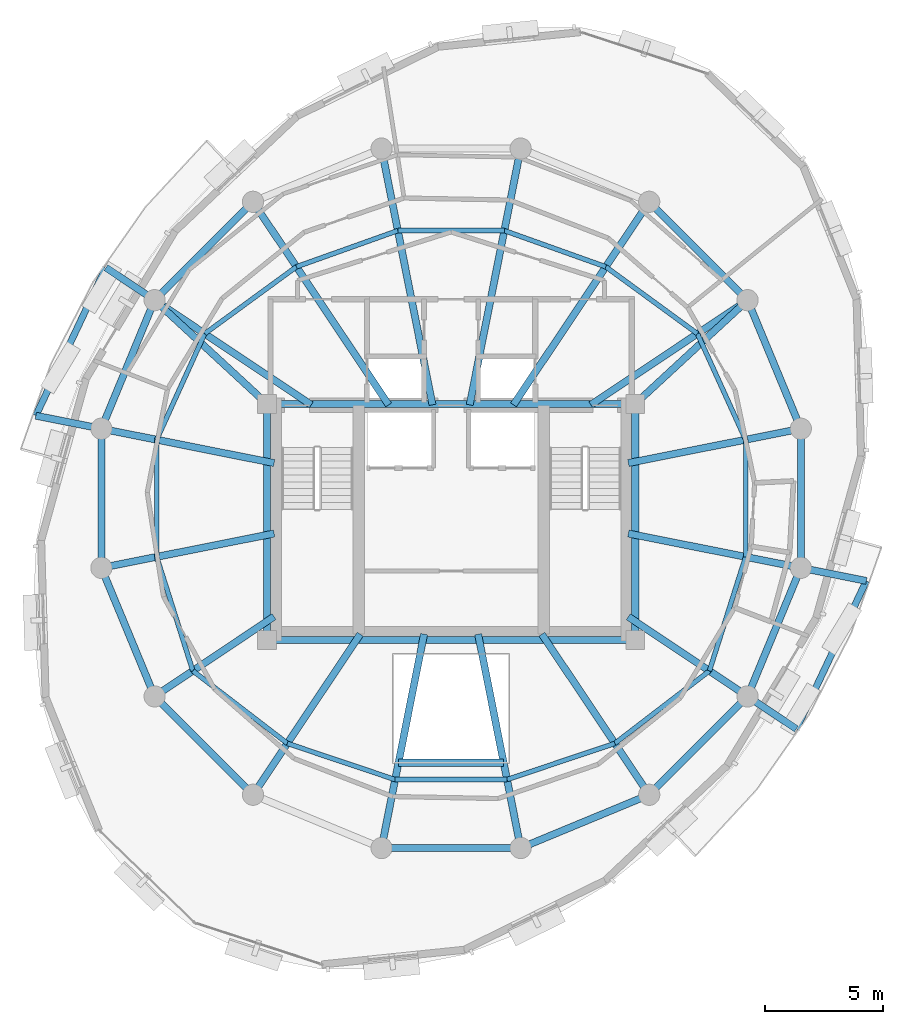
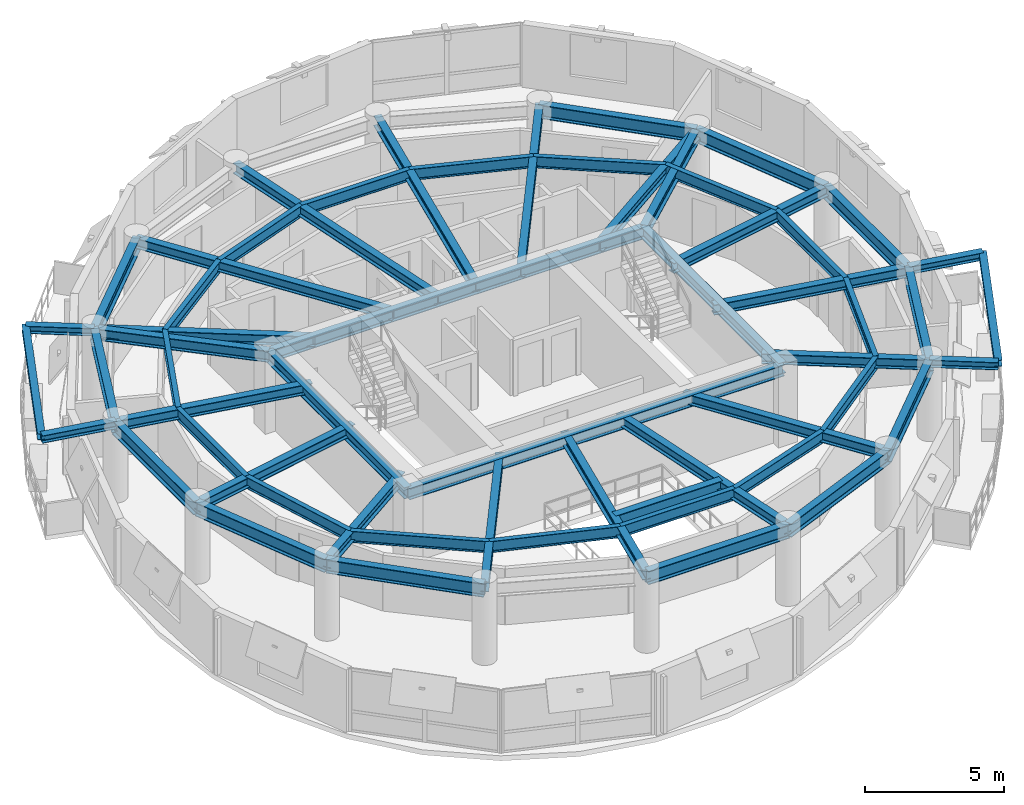
# One storey, part 3 of 11: 57 beams.
"""IFC4 building model written with IfcOpenShell, lengths in metres."""

from ifc_helpers import new_model, si_unit, direction, frame, origin, origin_2d, place, context, subcontext, project, spatial, i_section, extrude, material, material_profile, profile_set, type_object, element, save


model = new_model("IFC4")

# Units and contexts
model_context = context("Model", 3, precision=1e-05, world=origin(), true_north=direction((0.0, 1.0)))
body_context = subcontext(model_context, "Body", "Model", "MODEL_VIEW")
ifc_project = project(units=[si_unit("LENGTHUNIT", "METRE"), si_unit("AREAUNIT", "SQUARE_METRE"), si_unit("VOLUMEUNIT", "CUBIC_METRE"), si_unit("PLANEANGLEUNIT", "RADIAN"), si_unit("MASSUNIT", "GRAM", prefix="KILO"), si_unit("THERMODYNAMICTEMPERATUREUNIT", "KELVIN"), si_unit("POWERUNIT", "WATT")], contexts=[model_context])

# Site, building, storey
site_placement = place(None, origin())
site = spatial("IfcSite", under=ifc_project, at=site_placement, CompositionType="ELEMENT")
building_placement = place(site_placement, origin())
building = spatial("IfcBuilding", under=site, at=building_placement, Name="Ocrelia Relay Tower", CompositionType="ELEMENT")
storey_placement = place(building_placement, frame((0.0, 0.0, 273.60009765625)))
storey = spatial("IfcBuildingStorey", under=building, at=storey_placement, Name="L68", CompositionType="ELEMENT", Elevation=273.60009765625)

# Beams
ifc_material = material(Name="Steel S355", Category="steel")
ifc_material_profile_1 = material_profile(ifc_material, i_section(OverallWidth=0.280029296875, OverallDepth=0.27001953125, WebThickness=0.008056640625, FlangeThickness=0.012939453125, FilletRadius=0.02392578125, at=origin_2d()), Name="HEA 280")
ifc_profile_set_1 = profile_set([ifc_material_profile_1], Name="Steel S355")
beam_type_1 = type_object("IfcBeamType", Name="BM-HEA280", PredefinedType="BEAM", material=ifc_profile_set_1)
for number, where, z_axis, x_axis, name in (
    (1, (19.3798828125, 35.768798828125, 3.244873046875), (-0.427423552294, -0.904051495737, 0.0), (0.904051495737, -0.427423552294, 0.0), "L69 Balcony Edge Trimmer Beam B1"),
    (2, (48.6201171875, 16.231201171875, 3.244873046875), (0.427423552294, 0.904051495737, 0.0), (-0.904051495737, 0.427423552294, 0.0), "L69 Balcony Edge Trimmer Beam B2"),
):
    element("IfcBeam", number, at=place(storey_placement, frame(where, z_axis=z_axis, x_axis=x_axis)), inside=storey, type_object=beam_type_1, Name=name, PredefinedType="BEAM", context=body_context, shape_type="SweptSolid", body=[
        extrude(i_section(OverallWidth=0.280029296875, OverallDepth=0.27001953125, WebThickness=0.008056640625, FlangeThickness=0.012939453125, FilletRadius=0.02392578125, at=origin_2d()), origin(), (0.0, 0.0, 1.0), 6.9365234375),
    ])
ifc_material_profile_2 = material_profile(ifc_material, i_section(OverallWidth=0.300048828125, OverallDepth=0.330078125, WebThickness=0.009521484375, FlangeThickness=0.0166015625, FilletRadius=0.027099609375, at=origin_2d()), Name="HEA 340")
ifc_profile_set_2 = profile_set([ifc_material_profile_2], Name="Steel S355")
beam_type_2 = type_object("IfcBeamType", Name="BM-HEA340", PredefinedType="BEAM", material=ifc_profile_set_2)
beam_1_placement = place(storey_placement, frame((21.44482421875, 34.38916015625, 3.21484375), z_axis=(-0.831490270733, 0.555539314249, 0.0), x_axis=(-0.555539314249, -0.831490270733, 0.0)))
element("IfcBeam", 3, at=beam_1_placement, inside=storey, type_object=beam_type_2, Name="L69 Balcony Cantilever Beam B1-1", PredefinedType="BEAM", context=body_context, shape_type="SweptSolid", body=[
    extrude(i_section(OverallWidth=0.300048828125, OverallDepth=0.330078125, WebThickness=0.009521484375, FlangeThickness=0.0166015625, FilletRadius=0.027099609375, at=origin_2d()), origin(), (0.0, 0.0, 1.0), 2.4833984375),
])
beam_2_placement = place(storey_placement, frame((19.190185546875, 28.94580078125, 3.21484375), z_axis=(-0.980785889275, 0.195087260988, 0.0), x_axis=(-0.195087260988, -0.980785889275, 0.0)))
element("IfcBeam", 4, at=beam_2_placement, inside=storey, type_object=beam_type_2, Name="L69 Balcony Cantilever Beam B1-2", PredefinedType="BEAM", context=body_context, shape_type="SweptSolid", body=[
    extrude(i_section(OverallWidth=0.300048828125, OverallDepth=0.330078125, WebThickness=0.009521484375, FlangeThickness=0.0166015625, FilletRadius=0.027099609375, at=origin_2d()), origin(), (0.0, 0.0, 1.0), 2.82958984375),
])
beam_3_placement = place(storey_placement, frame((46.55517578125, 17.61083984375, 3.21484375), z_axis=(0.831490270733, -0.555539314249, 0.0), x_axis=(0.555539314249, 0.831490270733, 0.0)))
element("IfcBeam", 5, at=beam_3_placement, inside=storey, type_object=beam_type_2, Name="L69 Balcony Cantilever Beam B2-1", PredefinedType="BEAM", context=body_context, shape_type="SweptSolid", body=[
    extrude(i_section(OverallWidth=0.300048828125, OverallDepth=0.330078125, WebThickness=0.009521484375, FlangeThickness=0.0166015625, FilletRadius=0.027099609375, at=origin_2d()), origin(), (0.0, 0.0, 1.0), 2.4833984375),
])
beam_4_placement = place(storey_placement, frame((48.809814453125, 23.05419921875, 3.21484375), z_axis=(0.980785889275, -0.195087260988, 0.0), x_axis=(0.195087260988, 0.980785889275, 0.0)))
element("IfcBeam", 6, at=beam_4_placement, inside=storey, type_object=beam_type_2, Name="L69 Balcony Cantilever Beam B2-2", PredefinedType="BEAM", context=body_context, shape_type="SweptSolid", body=[
    extrude(i_section(OverallWidth=0.300048828125, OverallDepth=0.330078125, WebThickness=0.009521484375, FlangeThickness=0.0166015625, FilletRadius=0.027099609375, at=origin_2d()), origin(), (0.0, 0.0, 1.0), 2.82958984375),
])
ifc_material_profile_3 = material_profile(ifc_material, i_section(OverallWidth=0.300048828125, OverallDepth=0.449951171875, WebThickness=0.013916015625, FlangeThickness=0.02587890625, FilletRadius=0.027099609375, at=origin_2d()), Name="HEB 450")
ifc_profile_set_3 = profile_set([ifc_material_profile_3], Name="Steel S355")
beam_type_3 = type_object("IfcBeamType", Name="BM-HEB450", PredefinedType="BEAM", material=ifc_profile_set_3)
beam_5_placement = place(storey_placement, frame((48.809814453125, 28.94580078125, 3.15478515625), z_axis=(-0.980789400571, -0.195069607393, 0.0), x_axis=(0.195069607393, -0.980789400571, 0.0)))
element("IfcBeam", 7, at=beam_5_placement, inside=storey, type_object=beam_type_3, Name="L68 Radial Floor Girder R01", PredefinedType="BEAM", context=body_context, shape_type="SweptSolid", body=[
    extrude(i_section(OverallWidth=0.300048828125, OverallDepth=0.449951171875, WebThickness=0.013916015625, FlangeThickness=0.02587890625, FilletRadius=0.027099609375, at=origin_2d()), origin(), (0.0, 0.0, 1.0), 7.447998046875),
])
beam_6_placement = place(storey_placement, frame((46.55517578125, 34.38916015625, 3.15478515625), z_axis=(-0.83146627118, -0.555575233331, 0.0), x_axis=(0.555575233331, -0.83146627118, 0.0)))
element("IfcBeam", 8, at=beam_6_placement, inside=storey, type_object=beam_type_3, Name="L68 Radial Floor Girder R02", PredefinedType="BEAM", context=body_context, shape_type="SweptSolid", body=[
    extrude(i_section(OverallWidth=0.300048828125, OverallDepth=0.449951171875, WebThickness=0.013916015625, FlangeThickness=0.02587890625, FilletRadius=0.027099609375, at=origin_2d()), origin(), (0.0, 0.0, 1.0), 7.98095703125),
])
beam_7_placement = place(storey_placement, frame((42.38916015625, 38.55517578125, 3.15478515625), z_axis=(-0.555582296999, -0.831461551283, 0.0), x_axis=(0.831461551283, -0.555582296999, 0.0)))
element("IfcBeam", 9, at=beam_7_placement, inside=storey, type_object=beam_type_3, Name="L68 Radial Floor Girder R03", PredefinedType="BEAM", context=body_context, shape_type="SweptSolid", body=[
    extrude(i_section(OverallWidth=0.300048828125, OverallDepth=0.449951171875, WebThickness=0.013916015625, FlangeThickness=0.02587890625, FilletRadius=0.027099609375, at=origin_2d()), origin(), (0.0, 0.0, 1.0), 10.34326171875),
])
for number, where, z_axis, x_axis, name in (
    (10, (36.94580078125, 40.809814453125, 3.15478515625), (-0.195093658495, -0.98078461673, 0.0), (0.98078461673, -0.195093658495, 0.0), "L68 Radial Floor Girder R04"),
    (11, (31.05419921875, 40.809814453125, 3.15478515625), (0.195093658495, -0.98078461673, 0.0), (0.98078461673, 0.195093658495, 0.0), "L68 Radial Floor Girder R05"),
):
    element("IfcBeam", number, at=place(storey_placement, frame(where, z_axis=z_axis, x_axis=x_axis)), inside=storey, type_object=beam_type_3, Name=name, PredefinedType="BEAM", context=body_context, shape_type="SweptSolid", body=[
        extrude(i_section(OverallWidth=0.300048828125, OverallDepth=0.449951171875, WebThickness=0.013916015625, FlangeThickness=0.02587890625, FilletRadius=0.027099609375, at=origin_2d()), origin(), (0.0, 0.0, 1.0), 11.0673828125),
    ])
beam_8_placement = place(storey_placement, frame((25.61083984375, 38.55517578125, 3.15478515625), z_axis=(0.555582296999, -0.831461551283, 0.0), x_axis=(0.831461551283, 0.555582296999, 0.0)))
element("IfcBeam", 12, at=beam_8_placement, inside=storey, type_object=beam_type_3, Name="L68 Radial Floor Girder R06", PredefinedType="BEAM", context=body_context, shape_type="SweptSolid", body=[
    extrude(i_section(OverallWidth=0.300048828125, OverallDepth=0.449951171875, WebThickness=0.013916015625, FlangeThickness=0.02587890625, FilletRadius=0.027099609375, at=origin_2d()), origin(), (0.0, 0.0, 1.0), 10.34326171875),
])
beam_9_placement = place(storey_placement, frame((21.44482421875, 34.38916015625, 3.15478515625), z_axis=(0.83146627118, -0.555575233331, 0.0), x_axis=(0.555575233331, 0.83146627118, 0.0)))
element("IfcBeam", 13, at=beam_9_placement, inside=storey, type_object=beam_type_3, Name="L68 Radial Floor Girder R07", PredefinedType="BEAM", context=body_context, shape_type="SweptSolid", body=[
    extrude(i_section(OverallWidth=0.300048828125, OverallDepth=0.449951171875, WebThickness=0.013916015625, FlangeThickness=0.02587890625, FilletRadius=0.027099609375, at=origin_2d()), origin(), (0.0, 0.0, 1.0), 7.98095703125),
])
for number, where, z_axis, x_axis, name in (
    (14, (19.190185546875, 28.94580078125, 3.15478515625), (0.980789122594, -0.195071005024, 0.0), (0.195071005024, 0.980789122594, 0.0), "L68 Radial Floor Girder R08"),
    (15, (19.190185546875, 23.05419921875, 3.15478515625), (0.980789122594, 0.195071005024, 0.0), (-0.195071005024, 0.980789122594, 0.0), "L68 Radial Floor Girder R09"),
):
    element("IfcBeam", number, at=place(storey_placement, frame(where, z_axis=z_axis, x_axis=x_axis)), inside=storey, type_object=beam_type_3, Name=name, PredefinedType="BEAM", context=body_context, shape_type="SweptSolid", body=[
        extrude(i_section(OverallWidth=0.300048828125, OverallDepth=0.449951171875, WebThickness=0.013916015625, FlangeThickness=0.02587890625, FilletRadius=0.027099609375, at=origin_2d()), origin(), (0.0, 0.0, 1.0), 7.4580078125),
    ])
beam_10_placement = place(storey_placement, frame((21.44482421875, 17.61083984375, 3.15478515625), z_axis=(0.831463505153, 0.555579372906, 0.0), x_axis=(-0.555579372906, 0.831463505153, 0.0)))
element("IfcBeam", 16, at=beam_10_placement, inside=storey, type_object=beam_type_3, Name="L68 Radial Floor Girder R10", PredefinedType="BEAM", context=body_context, shape_type="SweptSolid", body=[
    extrude(i_section(OverallWidth=0.300048828125, OverallDepth=0.449951171875, WebThickness=0.013916015625, FlangeThickness=0.02587890625, FilletRadius=0.027099609375, at=origin_2d()), origin(), (0.0, 0.0, 1.0), 6.085693359375),
])
beam_11_placement = place(storey_placement, frame((25.61083984375, 13.44482421875, 3.15478515625), z_axis=(0.555560991962, 0.831475786906, 0.0), x_axis=(-0.831475786906, 0.555560991962, 0.0)))
element("IfcBeam", 17, at=beam_11_placement, inside=storey, type_object=beam_type_3, Name="L68 Radial Floor Girder R11", PredefinedType="BEAM", context=body_context, shape_type="SweptSolid", body=[
    extrude(i_section(OverallWidth=0.300048828125, OverallDepth=0.449951171875, WebThickness=0.013916015625, FlangeThickness=0.02587890625, FilletRadius=0.027099609375, at=origin_2d()), origin(), (0.0, 0.0, 1.0), 8.178466796875),
])
for number, where, z_axis, x_axis, name in (
    (18, (31.05419921875, 11.190185546875, 3.15478515625), (0.195078600472, 0.98078761189, 0.0), (-0.98078761189, 0.195078600472, 0.0), "L68 Radial Floor Girder R12"),
    (19, (36.94580078125, 11.190185546875, 3.15478515625), (-0.195078600472, 0.98078761189, 0.0), (-0.98078761189, -0.195078600472, 0.0), "L68 Radial Floor Girder R13"),
):
    element("IfcBeam", number, at=place(storey_placement, frame(where, z_axis=z_axis, x_axis=x_axis)), inside=storey, type_object=beam_type_3, Name=name, PredefinedType="BEAM", context=body_context, shape_type="SweptSolid", body=[
        extrude(i_section(OverallWidth=0.300048828125, OverallDepth=0.449951171875, WebThickness=0.013916015625, FlangeThickness=0.02587890625, FilletRadius=0.027099609375, at=origin_2d()), origin(), (0.0, 0.0, 1.0), 9.232421875),
    ])
beam_12_placement = place(storey_placement, frame((42.38916015625, 13.44482421875, 3.15478515625), z_axis=(-0.555560991962, 0.831475786906, 0.0), x_axis=(-0.831475786906, -0.555560991962, 0.0)))
element("IfcBeam", 20, at=beam_12_placement, inside=storey, type_object=beam_type_3, Name="L68 Radial Floor Girder R14", PredefinedType="BEAM", context=body_context, shape_type="SweptSolid", body=[
    extrude(i_section(OverallWidth=0.300048828125, OverallDepth=0.449951171875, WebThickness=0.013916015625, FlangeThickness=0.02587890625, FilletRadius=0.027099609375, at=origin_2d()), origin(), (0.0, 0.0, 1.0), 8.178466796875),
])
beam_13_placement = place(storey_placement, frame((46.55517578125, 17.61083984375, 3.15478515625), z_axis=(-0.831468559595, 0.555571808504, 0.0), x_axis=(-0.555571808504, -0.831468559595, 0.0)))
element("IfcBeam", 21, at=beam_13_placement, inside=storey, type_object=beam_type_3, Name="L68 Radial Floor Girder R15", PredefinedType="BEAM", context=body_context, shape_type="SweptSolid", body=[
    extrude(i_section(OverallWidth=0.300048828125, OverallDepth=0.449951171875, WebThickness=0.013916015625, FlangeThickness=0.02587890625, FilletRadius=0.027099609375, at=origin_2d()), origin(), (0.0, 0.0, 1.0), 6.073974609375),
])
beam_14_placement = place(storey_placement, frame((48.809814453125, 23.05419921875, 3.15478515625), z_axis=(-0.980789400571, 0.195069607393, 0.0), x_axis=(-0.195069607393, -0.980789400571, 0.0)))
element("IfcBeam", 22, at=beam_14_placement, inside=storey, type_object=beam_type_3, Name="L68 Radial Floor Girder R16", PredefinedType="BEAM", context=body_context, shape_type="SweptSolid", body=[
    extrude(i_section(OverallWidth=0.300048828125, OverallDepth=0.449951171875, WebThickness=0.013916015625, FlangeThickness=0.02587890625, FilletRadius=0.027099609375, at=origin_2d()), origin(), (0.0, 0.0, 1.0), 7.447998046875),
])
ifc_material_profile_4 = material_profile(ifc_material, i_section(OverallWidth=0.300048828125, OverallDepth=0.5, WebThickness=0.014404296875, FlangeThickness=0.028076171875, FilletRadius=0.027099609375, at=origin_2d()), Name="HEB 500")
ifc_profile_set_4 = profile_set([ifc_material_profile_4], Name="Steel S355")
beam_type_4 = type_object("IfcBeamType", Name="BM-HEB500", PredefinedType="BEAM", material=ifc_profile_set_4)
for number, where, z_axis, x_axis, name in (
    (23, (26.199951171875, 20.0, 3.1298828125), (1.0, 0.0, 0.0), (0.0, 1.0, 0.0), "L68 Core Pilaster Tie Beam S"),
    (24, (26.199951171875, 30.0, 3.1298828125), (1.0, 0.0, 0.0), (0.0, 1.0, 0.0), "L68 Core Pilaster Tie Beam N"),
):
    element("IfcBeam", number, at=place(storey_placement, frame(where, z_axis=z_axis, x_axis=x_axis)), inside=storey, type_object=beam_type_4, Name=name, PredefinedType="BEAM", context=body_context, shape_type="SweptSolid", body=[
        extrude(i_section(OverallWidth=0.300048828125, OverallDepth=0.5, WebThickness=0.014404296875, FlangeThickness=0.028076171875, FilletRadius=0.027099609375, at=origin_2d()), origin(), (0.0, 0.0, 1.0), 15.60009765625),
    ])
for number, where, z_axis, x_axis, name in (
    (25, (26.199951171875, 20.0, 3.1298828125), (0.0, 1.0, 0.0), (-1.0, 0.0, 0.0), "L68 Core Pilaster Tie Beam W"),
    (26, (41.800048828125, 20.0, 3.1298828125), (0.0, 1.0, 0.0), (-1.0, 0.0, 0.0), "L68 Core Pilaster Tie Beam E"),
):
    element("IfcBeam", number, at=place(storey_placement, frame(where, z_axis=z_axis, x_axis=x_axis)), inside=storey, type_object=beam_type_4, Name=name, PredefinedType="BEAM", context=body_context, shape_type="SweptSolid", body=[
        extrude(i_section(OverallWidth=0.300048828125, OverallDepth=0.5, WebThickness=0.014404296875, FlangeThickness=0.028076171875, FilletRadius=0.027099609375, at=origin_2d()), origin(), (0.0, 0.0, 1.0), 10.0),
    ])
for number, where, z_axis, x_axis, name in (
    (27, (46.55517578125, 34.38916015625, 3.1298828125), (-0.734817908666, -0.678264433023, 0.0), (0.678264433023, -0.734817908666, 0.0), "L68 Core Pilaster Frame Tie Beam PT02"),
    (28, (21.44482421875, 34.38916015625, 3.1298828125), (0.734817908666, -0.678264433023, 0.0), (0.678264433023, 0.734817908666, 0.0), "L68 Core Pilaster Frame Tie Beam PT07"),
):
    element("IfcBeam", number, at=place(storey_placement, frame(where, z_axis=z_axis, x_axis=x_axis)), inside=storey, type_object=beam_type_4, Name=name, PredefinedType="BEAM", context=body_context, shape_type="SweptSolid", body=[
        extrude(i_section(OverallWidth=0.300048828125, OverallDepth=0.5, WebThickness=0.014404296875, FlangeThickness=0.028076171875, FilletRadius=0.027099609375, at=origin_2d()), origin(), (0.0, 0.0, 1.0), 6.47119140625),
    ])
ifc_material_profile_5 = material_profile(ifc_material, i_section(OverallWidth=0.300048828125, OverallDepth=0.550048828125, WebThickness=0.014892578125, FlangeThickness=0.029052734375, FilletRadius=0.027099609375, at=origin_2d()), Name="HEB 550")
ifc_profile_set_5 = profile_set([ifc_material_profile_5], Name="Steel S355")
beam_type_5 = type_object("IfcBeamType", Name="BM-HEB550", PredefinedType="BEAM", material=ifc_profile_set_5)
beam_15_placement = place(storey_placement, frame((31.772216796875, 14.800048828125, 3.10498046875), z_axis=(1.0, 0.0, 0.0), x_axis=(0.0, 1.0, 0.0)))
element("IfcBeam", 29, at=beam_15_placement, inside=storey, type_object=beam_type_5, Name="L68 Atrium South Trimmer Beam", PredefinedType="BEAM", context=body_context, shape_type="SweptSolid", body=[
    extrude(i_section(OverallWidth=0.300048828125, OverallDepth=0.550048828125, WebThickness=0.014892578125, FlangeThickness=0.029052734375, FilletRadius=0.027099609375, at=origin_2d()), origin(), (0.0, 0.0, 1.0), 4.45556640625),
])
ifc_material_profile_6 = material_profile(ifc_material, i_section(OverallWidth=0.300048828125, OverallDepth=0.60009765625, WebThickness=0.015380859375, FlangeThickness=0.030029296875, FilletRadius=0.027099609375, at=origin_2d()), Name="HEB 600")
ifc_profile_set_6 = profile_set([ifc_material_profile_6], Name="Steel S355")
beam_type_6 = type_object("IfcBeamType", Name="BM-HEB600", PredefinedType="BEAM", material=ifc_profile_set_6)
beam_16_placement = place(storey_placement, frame((48.809814453125, 28.94580078125, 3.079833984375), z_axis=(-0.382672624084, 0.923884009374, 0.0), x_axis=(-0.923884009374, -0.382672624084, 0.0)))
element("IfcBeam", 30, at=beam_16_placement, inside=storey, type_object=beam_type_6, Name="L68 Perimeter Spandrel Beam S01", PredefinedType="BEAM", context=body_context, shape_type="SweptSolid", body=[
    extrude(i_section(OverallWidth=0.300048828125, OverallDepth=0.60009765625, WebThickness=0.015380859375, FlangeThickness=0.030029296875, FilletRadius=0.027099609375, at=origin_2d()), origin(), (0.0, 0.0, 1.0), 5.891845703125),
])
for number, where, z_axis, x_axis, name in (
    (31, (46.55517578125, 34.38916015625, 3.079833984375), (-0.707106781187, 0.707106781187, 0.0), (-0.707106781187, -0.707106781187, 0.0), "L68 Perimeter Spandrel Beam S02"),
    (32, (25.61083984375, 38.55517578125, 3.079833984375), (-0.707106781187, -0.707106781187, 0.0), (0.707106781187, -0.707106781187, 0.0), "L68 Perimeter Spandrel Beam S06"),
):
    element("IfcBeam", number, at=place(storey_placement, frame(where, z_axis=z_axis, x_axis=x_axis)), inside=storey, type_object=beam_type_6, Name=name, PredefinedType="BEAM", context=body_context, shape_type="SweptSolid", body=[
        extrude(i_section(OverallWidth=0.300048828125, OverallDepth=0.60009765625, WebThickness=0.015380859375, FlangeThickness=0.030029296875, FilletRadius=0.027099609375, at=origin_2d()), origin(), (0.0, 0.0, 1.0), 5.8916015625),
    ])
beam_17_placement = place(storey_placement, frame((21.44482421875, 34.38916015625, 3.079833984375), z_axis=(-0.382672624084, -0.923884009374, 0.0), x_axis=(0.923884009374, -0.382672624084, 0.0)))
element("IfcBeam", 33, at=beam_17_placement, inside=storey, type_object=beam_type_6, Name="L68 Perimeter Spandrel Beam S07", PredefinedType="BEAM", context=body_context, shape_type="SweptSolid", body=[
    extrude(i_section(OverallWidth=0.300048828125, OverallDepth=0.60009765625, WebThickness=0.015380859375, FlangeThickness=0.030029296875, FilletRadius=0.027099609375, at=origin_2d()), origin(), (0.0, 0.0, 1.0), 5.891845703125),
])
beam_18_placement = place(storey_placement, frame((19.190185546875, 28.94580078125, 3.079833984375), z_axis=(0.0, -1.0, 0.0), x_axis=(1.0, 0.0, 0.0)))
element("IfcBeam", 34, at=beam_18_placement, inside=storey, type_object=beam_type_6, Name="L68 Perimeter Spandrel Beam S08", PredefinedType="BEAM", context=body_context, shape_type="SweptSolid", body=[
    extrude(i_section(OverallWidth=0.300048828125, OverallDepth=0.60009765625, WebThickness=0.015380859375, FlangeThickness=0.030029296875, FilletRadius=0.027099609375, at=origin_2d()), origin(), (0.0, 0.0, 1.0), 5.8916015625),
])
beam_19_placement = place(storey_placement, frame((19.190185546875, 23.05419921875, 3.079833984375), z_axis=(0.382672624084, -0.923884009374, 0.0), x_axis=(0.923884009374, 0.382672624084, 0.0)))
element("IfcBeam", 35, at=beam_19_placement, inside=storey, type_object=beam_type_6, Name="L68 Perimeter Spandrel Beam S09", PredefinedType="BEAM", context=body_context, shape_type="SweptSolid", body=[
    extrude(i_section(OverallWidth=0.300048828125, OverallDepth=0.60009765625, WebThickness=0.015380859375, FlangeThickness=0.030029296875, FilletRadius=0.027099609375, at=origin_2d()), origin(), (0.0, 0.0, 1.0), 5.891845703125),
])
for number, where, z_axis, x_axis, name in (
    (36, (21.44482421875, 17.61083984375, 3.079833984375), (0.707106781187, -0.707106781187, 0.0), (0.707106781187, 0.707106781187, 0.0), "L68 Perimeter Spandrel Beam S10"),
    (37, (31.05419921875, 11.190185546875, 3.079833984375), (1.0, 0.0, 0.0), (0.0, 1.0, 0.0), "L68 Perimeter Spandrel Beam S12"),
):
    element("IfcBeam", number, at=place(storey_placement, frame(where, z_axis=z_axis, x_axis=x_axis)), inside=storey, type_object=beam_type_6, Name=name, PredefinedType="BEAM", context=body_context, shape_type="SweptSolid", body=[
        extrude(i_section(OverallWidth=0.300048828125, OverallDepth=0.60009765625, WebThickness=0.015380859375, FlangeThickness=0.030029296875, FilletRadius=0.027099609375, at=origin_2d()), origin(), (0.0, 0.0, 1.0), 5.8916015625),
    ])
beam_20_placement = place(storey_placement, frame((36.94580078125, 11.190185546875, 3.079833984375), z_axis=(0.923884009374, 0.382672624084, 0.0), x_axis=(-0.382672624084, 0.923884009374, 0.0)))
element("IfcBeam", 38, at=beam_20_placement, inside=storey, type_object=beam_type_6, Name="L68 Perimeter Spandrel Beam S13", PredefinedType="BEAM", context=body_context, shape_type="SweptSolid", body=[
    extrude(i_section(OverallWidth=0.300048828125, OverallDepth=0.60009765625, WebThickness=0.015380859375, FlangeThickness=0.030029296875, FilletRadius=0.027099609375, at=origin_2d()), origin(), (0.0, 0.0, 1.0), 5.891845703125),
])
beam_21_placement = place(storey_placement, frame((42.38916015625, 13.44482421875, 3.079833984375), z_axis=(0.707106781187, 0.707106781187, 0.0), x_axis=(-0.707106781187, 0.707106781187, 0.0)))
element("IfcBeam", 39, at=beam_21_placement, inside=storey, type_object=beam_type_6, Name="L68 Perimeter Spandrel Beam S14", PredefinedType="BEAM", context=body_context, shape_type="SweptSolid", body=[
    extrude(i_section(OverallWidth=0.300048828125, OverallDepth=0.60009765625, WebThickness=0.015380859375, FlangeThickness=0.030029296875, FilletRadius=0.027099609375, at=origin_2d()), origin(), (0.0, 0.0, 1.0), 5.8916015625),
])
beam_22_placement = place(storey_placement, frame((46.55517578125, 17.61083984375, 3.079833984375), z_axis=(0.382672624084, 0.923884009374, 0.0), x_axis=(-0.923884009374, 0.382672624084, 0.0)))
element("IfcBeam", 40, at=beam_22_placement, inside=storey, type_object=beam_type_6, Name="L68 Perimeter Spandrel Beam S15", PredefinedType="BEAM", context=body_context, shape_type="SweptSolid", body=[
    extrude(i_section(OverallWidth=0.300048828125, OverallDepth=0.60009765625, WebThickness=0.015380859375, FlangeThickness=0.030029296875, FilletRadius=0.027099609375, at=origin_2d()), origin(), (0.0, 0.0, 1.0), 5.891845703125),
])
beam_23_placement = place(storey_placement, frame((48.809814453125, 23.05419921875, 3.079833984375), z_axis=(0.0, 1.0, 0.0), x_axis=(-1.0, 0.0, 0.0)))
element("IfcBeam", 41, at=beam_23_placement, inside=storey, type_object=beam_type_6, Name="L68 Perimeter Spandrel Beam S16", PredefinedType="BEAM", context=body_context, shape_type="SweptSolid", body=[
    extrude(i_section(OverallWidth=0.300048828125, OverallDepth=0.60009765625, WebThickness=0.015380859375, FlangeThickness=0.030029296875, FilletRadius=0.027099609375, at=origin_2d()), origin(), (0.0, 0.0, 1.0), 5.8916015625),
])
ifc_material_profile_7 = material_profile(ifc_material, i_section(OverallWidth=0.199951171875, OverallDepth=0.5, WebThickness=0.01025390625, FlangeThickness=0.01611328125, FilletRadius=0.02099609375, at=origin_2d()), Name="IPE 500")
ifc_profile_set_7 = profile_set([ifc_material_profile_7], Name="Steel S355")
beam_type_7 = type_object("IfcBeamType", Name="BM-IPE500", PredefinedType="JOIST", material=ifc_profile_set_7)
beam_24_placement = place(storey_placement, frame((46.472412109375, 28.48095703125, 3.1298828125), z_axis=(-0.413836514443, 0.91035121756, 0.0), x_axis=(-0.91035121756, -0.413836514443, 0.0)))
element("IfcBeam", 42, at=beam_24_placement, inside=storey, type_object=beam_type_7, Name="L68 Secondary Floor Joist J01", PredefinedType="JOIST", context=body_context, shape_type="SweptSolid", body=[
    extrude(i_section(OverallWidth=0.199951171875, OverallDepth=0.5, WebThickness=0.01025390625, FlangeThickness=0.01611328125, FilletRadius=0.02099609375, at=origin_2d()), origin(), (0.0, 0.0, 1.0), 4.931396484375),
])
beam_25_placement = place(storey_placement, frame((44.431640625, 32.97021484375, 3.1298828125), z_axis=(-0.80774844416, 0.58952731146, 0.0), x_axis=(-0.58952731146, -0.80774844416, 0.0)))
element("IfcBeam", 43, at=beam_25_placement, inside=storey, type_object=beam_type_7, Name="L68 Secondary Floor Joist J02", PredefinedType="JOIST", context=body_context, shape_type="SweptSolid", body=[
    extrude(i_section(OverallWidth=0.199951171875, OverallDepth=0.5, WebThickness=0.01025390625, FlangeThickness=0.01611328125, FilletRadius=0.02099609375, at=origin_2d()), origin(), (0.0, 0.0, 1.0), 4.80517578125),
])
beam_26_placement = place(storey_placement, frame((40.55029296875, 35.802978515625, 3.1298828125), z_axis=(-0.94180245035, 0.336166840298, 0.0), x_axis=(-0.336166840298, -0.94180245035, 0.0)))
element("IfcBeam", 44, at=beam_26_placement, inside=storey, type_object=beam_type_7, Name="L68 Secondary Floor Joist J03", PredefinedType="JOIST", context=body_context, shape_type="SweptSolid", body=[
    extrude(i_section(OverallWidth=0.199951171875, OverallDepth=0.5, WebThickness=0.01025390625, FlangeThickness=0.01611328125, FilletRadius=0.02099609375, at=origin_2d()), origin(), (0.0, 0.0, 1.0), 4.560791015625),
])
beam_27_placement = place(storey_placement, frame((36.2548828125, 37.336181640625, 3.1298828125), z_axis=(-1.0, 0.0, 0.0), x_axis=(0.0, -1.0, 0.0)))
element("IfcBeam", 45, at=beam_27_placement, inside=storey, type_object=beam_type_7, Name="L68 Secondary Floor Joist J04", PredefinedType="JOIST", context=body_context, shape_type="SweptSolid", body=[
    extrude(i_section(OverallWidth=0.199951171875, OverallDepth=0.5, WebThickness=0.01025390625, FlangeThickness=0.01611328125, FilletRadius=0.02099609375, at=origin_2d()), origin(), (0.0, 0.0, 1.0), 4.509765625),
])
beam_28_placement = place(storey_placement, frame((31.7451171875, 37.336181640625, 3.1298828125), z_axis=(-0.94180245035, -0.336166840298, 0.0), x_axis=(0.336166840298, -0.94180245035, 0.0)))
element("IfcBeam", 46, at=beam_28_placement, inside=storey, type_object=beam_type_7, Name="L68 Secondary Floor Joist J05", PredefinedType="JOIST", context=body_context, shape_type="SweptSolid", body=[
    extrude(i_section(OverallWidth=0.199951171875, OverallDepth=0.5, WebThickness=0.01025390625, FlangeThickness=0.01611328125, FilletRadius=0.02099609375, at=origin_2d()), origin(), (0.0, 0.0, 1.0), 4.560791015625),
])
beam_29_placement = place(storey_placement, frame((27.44970703125, 35.802978515625, 3.1298828125), z_axis=(-0.80774844416, -0.58952731146, 0.0), x_axis=(0.58952731146, -0.80774844416, 0.0)))
element("IfcBeam", 47, at=beam_29_placement, inside=storey, type_object=beam_type_7, Name="L68 Secondary Floor Joist J06", PredefinedType="JOIST", context=body_context, shape_type="SweptSolid", body=[
    extrude(i_section(OverallWidth=0.199951171875, OverallDepth=0.5, WebThickness=0.01025390625, FlangeThickness=0.01611328125, FilletRadius=0.02099609375, at=origin_2d()), origin(), (0.0, 0.0, 1.0), 4.80517578125),
])
beam_30_placement = place(storey_placement, frame((23.568359375, 32.97021484375, 3.1298828125), z_axis=(-0.413205957462, -0.910637599003, 0.0), x_axis=(0.910637599003, -0.413205957462, 0.0)))
element("IfcBeam", 48, at=beam_30_placement, inside=storey, type_object=beam_type_7, Name="L68 Secondary Floor Joist J07", PredefinedType="JOIST", context=body_context, shape_type="SweptSolid", body=[
    extrude(i_section(OverallWidth=0.199951171875, OverallDepth=0.5, WebThickness=0.01025390625, FlangeThickness=0.01611328125, FilletRadius=0.02099609375, at=origin_2d()), origin(), (0.0, 0.0, 1.0), 4.9306640625),
])
beam_31_placement = place(storey_placement, frame((21.531005859375, 28.480224609375, 3.1298828125), z_axis=(0.0, -1.0, 0.0), x_axis=(1.0, 0.0, 0.0)))
element("IfcBeam", 49, at=beam_31_placement, inside=storey, type_object=beam_type_7, Name="L68 Secondary Floor Joist J08", PredefinedType="JOIST", context=body_context, shape_type="SweptSolid", body=[
    extrude(i_section(OverallWidth=0.199951171875, OverallDepth=0.5, WebThickness=0.01025390625, FlangeThickness=0.01611328125, FilletRadius=0.02099609375, at=origin_2d()), origin(), (0.0, 0.0, 1.0), 4.96044921875),
])
beam_32_placement = place(storey_placement, frame((21.531005859375, 23.519775390625, 3.1298828125), z_axis=(0.302732054046, -0.953075707094, 0.0), x_axis=(0.953075707094, 0.302732054046, 0.0)))
element("IfcBeam", 50, at=beam_32_placement, inside=storey, type_object=beam_type_7, Name="L68 Secondary Floor Joist J09", PredefinedType="JOIST", context=body_context, shape_type="SweptSolid", body=[
    extrude(i_section(OverallWidth=0.199951171875, OverallDepth=0.5, WebThickness=0.01025390625, FlangeThickness=0.01611328125, FilletRadius=0.02099609375, at=origin_2d()), origin(), (0.0, 0.0, 1.0), 5.064453125),
])
beam_33_placement = place(storey_placement, frame((23.064208984375, 18.69287109375, 3.1298828125), z_axis=(0.793147291367, -0.60902986314, 0.0), x_axis=(0.60902986314, 0.793147291367, 0.0)))
element("IfcBeam", 51, at=beam_33_placement, inside=storey, type_object=beam_type_7, Name="L68 Secondary Floor Joist J10", PredefinedType="JOIST", context=body_context, shape_type="SweptSolid", body=[
    extrude(i_section(OverallWidth=0.199951171875, OverallDepth=0.5, WebThickness=0.01025390625, FlangeThickness=0.01611328125, FilletRadius=0.02099609375, at=origin_2d()), origin(), (0.0, 0.0, 1.0), 5.044189453125),
])
beam_34_placement = place(storey_placement, frame((27.06494140625, 15.620849609375, 3.1298828125), z_axis=(0.947976335242, -0.318340804519, 0.0), x_axis=(0.318340804519, 0.947976335242, 0.0)))
element("IfcBeam", 52, at=beam_34_placement, inside=storey, type_object=beam_type_7, Name="L68 Secondary Floor Joist J11", PredefinedType="JOIST", context=body_context, shape_type="SweptSolid", body=[
    extrude(i_section(OverallWidth=0.199951171875, OverallDepth=0.5, WebThickness=0.01025390625, FlangeThickness=0.01611328125, FilletRadius=0.02099609375, at=origin_2d()), origin(), (0.0, 0.0, 1.0), 4.816162109375),
])
beam_35_placement = place(storey_placement, frame((31.630615234375, 14.087646484375, 3.1298828125), z_axis=(1.0, 0.0, 0.0), x_axis=(0.0, 1.0, 0.0)))
element("IfcBeam", 53, at=beam_35_placement, inside=storey, type_object=beam_type_7, Name="L68 Secondary Floor Joist J12", PredefinedType="JOIST", context=body_context, shape_type="SweptSolid", body=[
    extrude(i_section(OverallWidth=0.199951171875, OverallDepth=0.5, WebThickness=0.01025390625, FlangeThickness=0.01611328125, FilletRadius=0.02099609375, at=origin_2d()), origin(), (0.0, 0.0, 1.0), 4.73876953125),
])
beam_36_placement = place(storey_placement, frame((36.369384765625, 14.087646484375, 3.1298828125), z_axis=(0.947976335242, 0.318340804519, 0.0), x_axis=(-0.318340804519, 0.947976335242, 0.0)))
element("IfcBeam", 54, at=beam_36_placement, inside=storey, type_object=beam_type_7, Name="L68 Secondary Floor Joist J13", PredefinedType="JOIST", context=body_context, shape_type="SweptSolid", body=[
    extrude(i_section(OverallWidth=0.199951171875, OverallDepth=0.5, WebThickness=0.01025390625, FlangeThickness=0.01611328125, FilletRadius=0.02099609375, at=origin_2d()), origin(), (0.0, 0.0, 1.0), 4.816162109375),
])
beam_37_placement = place(storey_placement, frame((40.93505859375, 15.620849609375, 3.1298828125), z_axis=(0.793608697717, 0.608428496134, 0.0), x_axis=(-0.608428496134, 0.793608697717, 0.0)))
element("IfcBeam", 55, at=beam_37_placement, inside=storey, type_object=beam_type_7, Name="L68 Secondary Floor Joist J14", PredefinedType="JOIST", context=body_context, shape_type="SweptSolid", body=[
    extrude(i_section(OverallWidth=0.199951171875, OverallDepth=0.5, WebThickness=0.01025390625, FlangeThickness=0.01611328125, FilletRadius=0.02099609375, at=origin_2d()), origin(), (0.0, 0.0, 1.0), 5.04541015625),
])
beam_38_placement = place(storey_placement, frame((44.939208984375, 18.690673828125, 3.1298828125), z_axis=(0.302648624063, 0.953102203519, 0.0), x_axis=(-0.953102203519, 0.302648624063, 0.0)))
element("IfcBeam", 56, at=beam_38_placement, inside=storey, type_object=beam_type_7, Name="L68 Secondary Floor Joist J15", PredefinedType="JOIST", context=body_context, shape_type="SweptSolid", body=[
    extrude(i_section(OverallWidth=0.199951171875, OverallDepth=0.5, WebThickness=0.01025390625, FlangeThickness=0.01611328125, FilletRadius=0.02099609375, at=origin_2d()), origin(), (0.0, 0.0, 1.0), 5.06591796875),
])
beam_39_placement = place(storey_placement, frame((46.472412109375, 23.51904296875, 3.1298828125), z_axis=(0.0, 1.0, 0.0), x_axis=(-1.0, 0.0, 0.0)))
element("IfcBeam", 57, at=beam_39_placement, inside=storey, type_object=beam_type_7, Name="L68 Secondary Floor Joist J16", PredefinedType="JOIST", context=body_context, shape_type="SweptSolid", body=[
    extrude(i_section(OverallWidth=0.199951171875, OverallDepth=0.5, WebThickness=0.01025390625, FlangeThickness=0.01611328125, FilletRadius=0.02099609375, at=origin_2d()), origin(), (0.0, 0.0, 1.0), 4.9619140625),
])

save(model, "model.ifc")
